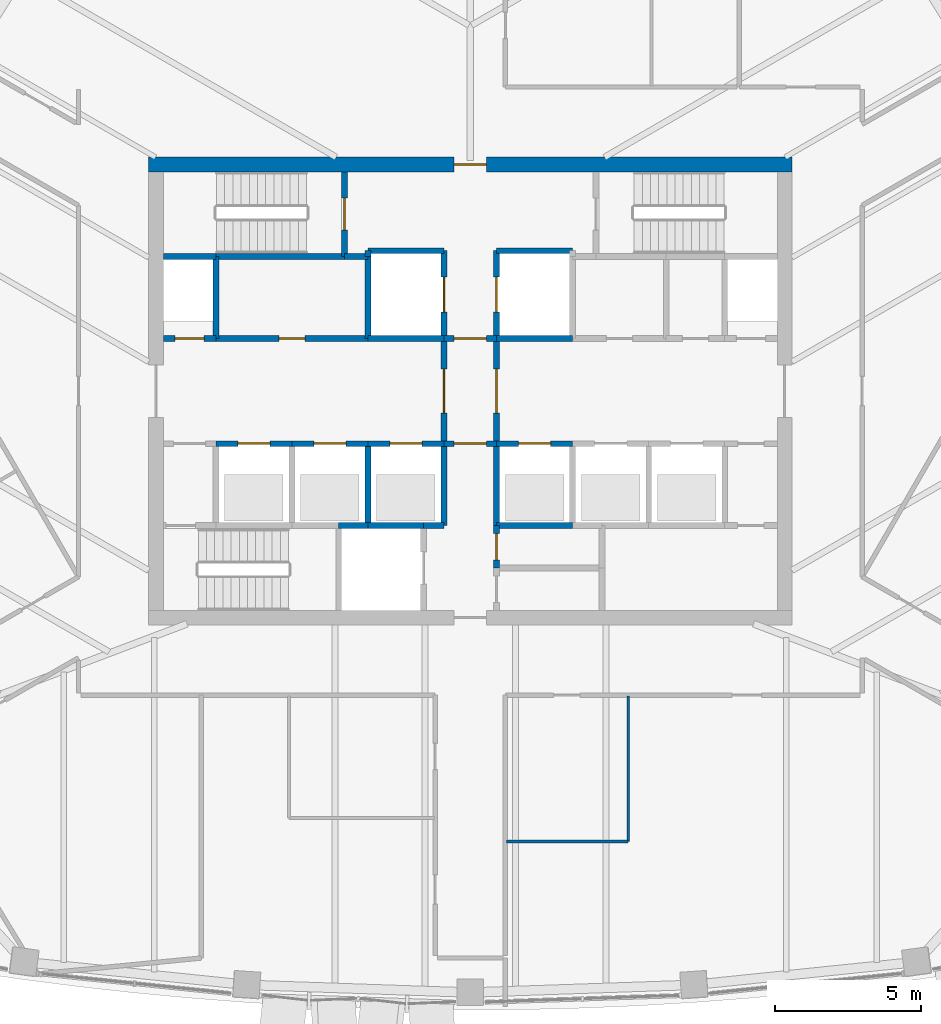
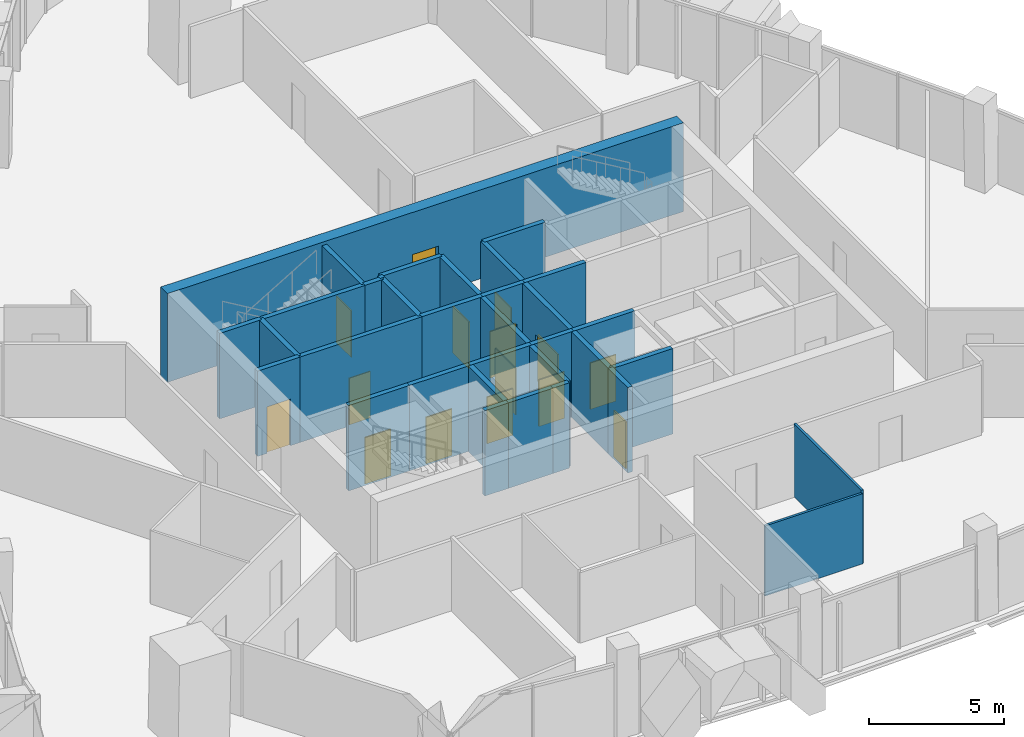
# One storey, part 12 of 18: 34 walls, 15 doors, 15 openings.
"""IFC4 building model written with IfcOpenShell, lengths in metres."""

from ifc_helpers import new_model, si_unit, direction, frame, frame_2d, origin, place, context, subcontext, project, spatial, rectangle, extrude, material, layer, layer_set, type_object, element, fill, save


model = new_model("IFC4")

# Units and contexts
model_context = context("Model", 3, precision=1e-05, world=origin(), true_north=direction((0.0, 1.0)))
body_context = subcontext(model_context, "Body", "Model", "MODEL_VIEW")
ifc_project = project(units=[si_unit("LENGTHUNIT", "METRE"), si_unit("AREAUNIT", "SQUARE_METRE"), si_unit("VOLUMEUNIT", "CUBIC_METRE"), si_unit("PLANEANGLEUNIT", "RADIAN"), si_unit("MASSUNIT", "GRAM", prefix="KILO")], contexts=[model_context])

# Site, building, storey
site_placement = place(None, origin())
site = spatial("IfcSite", under=ifc_project, at=site_placement, CompositionType="ELEMENT")
building_placement = place(site_placement, origin())
building = spatial("IfcBuilding", under=site, at=building_placement, Name="Sierra Prisma Convention Tower", CompositionType="ELEMENT")
storey_placement = place(building_placement, frame((0.0, 0.0, 255.0)))
storey = spatial("IfcBuildingStorey", under=building, at=storey_placement, Name="L57", CompositionType="ELEMENT", Elevation=255.0)

# Walls
ifc_material_1 = material(Name="Gypsum board partition", Category="gypsum")
ifc_layer_1 = layer(ifc_material_1, 0.10009765625)
ifc_layer_set_1 = layer_set([ifc_layer_1], Name="Bathroom partition 100")
wall_type_1 = type_object("IfcWallType", Name="Bathroom partition 100", PredefinedType="PARTITIONING", material=ifc_layer_set_1)
wall_1_placement = place(storey_placement, frame((5.39990234375, -10.429931640625, 0.0), z_axis=(0.0, 0.0, 1.0), x_axis=(0.0, -1.0, 0.0)))
element("IfcWall", 1, at=wall_1_placement, inside=storey, type_object=wall_type_1, Name="Partition L57 bath 5", PredefinedType="PARTITIONING", context=body_context, shape_type="SweptSolid", body=[
    extrude(rectangle(XDim=4.969970703125, YDim=0.10009765625, at=frame_2d((2.48486328125, 0.0))), origin(), (0.0, 0.0, 1.0), 3.300048828125),
])
wall_2_placement = place(storey_placement, frame((5.39990234375, -15.39990234375, 0.0), z_axis=(0.0, 0.0, 1.0), x_axis=(-1.0, 0.0, 0.0)))
element("IfcWall", 2, at=wall_2_placement, inside=storey, type_object=wall_type_1, Name="Partition L57 bath 6", PredefinedType="PARTITIONING", context=body_context, shape_type="SweptSolid", body=[
    extrude(rectangle(XDim=4.169921875, YDim=0.10009765625, at=frame_2d((2.0849609375, 0.0))), origin(), (0.0, 0.0, 1.0), 3.1669921875),
])

# Wall, opening, door
ifc_material_2 = material(Name="Concrete C30/37", Category="concrete")
ifc_layer_2 = layer(ifc_material_2, 0.199951171875)
ifc_layer_set_2 = layer_set([ifc_layer_2], Name="Core wall RC 200 C30/37")
wall_type_2 = type_object("IfcWallType", Name="Core wall RC 200 C30/37", PredefinedType="SOLIDWALL", material=ifc_layer_set_2)
wall_3_placement = place(storey_placement, frame((-8.699951171875, 1.800048828125, 0.0), z_axis=(0.0, 0.0, 1.0), x_axis=(-1.0, 0.0, 0.0)))
wall_3 = element("IfcWall", 3, at=wall_3_placement, inside=storey, type_object=wall_type_2, Name="Core wall L57 3", PredefinedType="SOLIDWALL", context=body_context, shape_type="SweptSolid", body=[
    extrude(rectangle(XDim=1.800048828125, YDim=0.199951171875, at=frame_2d((0.89990234375, 0.0))), origin(), (0.0, 0.0, 1.0), 3.85009765625),
])
opening_1_placement = place(wall_3_placement, frame((0.39990234375, 0.0, 0.0)))
opening_1 = element("IfcOpeningElement", 4, at=opening_1_placement, cuts=wall_3, Name="Opening L57-D015", PredefinedType="OPENING", context=body_context, shape_type="SweptSolid", body=[
    extrude(rectangle(XDim=1.0, YDim=2.10009765625, at=frame_2d((0.5, 1.050048828125))), frame((0.0, 0.10009765625, 0.0), z_axis=(0.0, -1.0, 0.0), x_axis=(1.0, 0.0, 0.0)), (0.0, 0.0, 1.0), 0.199951171875),
])
ifc_material_3 = material(Name="Steel fire door leaf", Category="steel")
door_type_1 = type_object("IfcDoorType", Name="Door 1000x2100 FD60S", OperationType="SINGLE_SWING_LEFT", PredefinedType="DOOR", material=ifc_material_3)
door_1_placement = place(opening_1_placement, origin())
door_1 = element("IfcDoor", 5, at=door_1_placement, inside=storey, type_object=door_type_1, Name="Door L57 30", OperationType="SINGLE_SWING_RIGHT", OverallHeight=2.10009765625, OverallWidth=1.0, PredefinedType="DOOR", context=body_context, shape_type="SweptSolid", body=[
    extrude(rectangle(XDim=1.0, YDim=2.10009765625, at=frame_2d((0.5, 1.050048828125))), frame((0.0, 0.02490234375, 0.0), z_axis=(0.0, -1.0, 0.0), x_axis=(1.0, 0.0, 0.0)), (0.0, 0.0, 1.0), 0.050048828125),
])
fill(opening_1, door_1)

# Wall
wall_4_placement = place(storey_placement, frame((-8.699951171875, 4.60009765625, 0.0), z_axis=(0.0, 0.0, 1.0), x_axis=(-1.0, 0.0, 0.0)))
element("IfcWall", 6, at=wall_4_placement, inside=storey, type_object=wall_type_2, Name="Core wall L57 4", PredefinedType="SOLIDWALL", context=body_context, shape_type="SweptSolid", body=[
    extrude(rectangle(XDim=1.800048828125, YDim=0.199951171875, at=frame_2d((0.89990234375, 0.0))), origin(), (0.0, 0.0, 1.0), 3.85009765625),
])

# Wall, opening, door
wall_5_placement = place(storey_placement, frame((-8.699951171875, -1.800048828125, 0.0), z_axis=(0.0, 0.0, 1.0), x_axis=(1.0, 0.0, 0.0)))
wall_5 = element("IfcWall", 7, at=wall_5_placement, inside=storey, type_object=wall_type_2, Name="Core wall L57 7", PredefinedType="SOLIDWALL", context=body_context, shape_type="SweptSolid", body=[
    extrude(rectangle(XDim=2.599853515625, YDim=0.199951171875, at=frame_2d((1.2998046875, 0.0))), origin(), (0.0, 0.0, 1.0), 3.85009765625),
])
opening_2_placement = place(wall_5_placement, frame((0.75, 0.0, 0.0)))
opening_2 = element("IfcOpeningElement", 8, at=opening_2_placement, cuts=wall_5, Name="Opening L57-D001", PredefinedType="OPENING", context=body_context, shape_type="SweptSolid", body=[
    extrude(rectangle(XDim=1.10009765625, YDim=2.10009765625, at=frame_2d((0.550048828125, 1.050048828125))), frame((0.0, 0.10009765625, 0.0), z_axis=(0.0, -1.0, 0.0), x_axis=(1.0, 0.0, 0.0)), (0.0, 0.0, 1.0), 0.199951171875),
])
ifc_material_4 = material(Name="Steel fire door leaf", Category="steel")
door_type_2 = type_object("IfcDoorType", Name="Door 1100x2100 EI 90 sliding lift landing", OperationType="SLIDING_TO_LEFT", PredefinedType="DOOR", material=ifc_material_4)
door_2_placement = place(opening_2_placement, origin())
door_2 = element("IfcDoor", 9, at=door_2_placement, inside=storey, type_object=door_type_2, Name="Door L57 16", OperationType="SLIDING_TO_RIGHT", OverallHeight=2.10009765625, OverallWidth=1.10009765625, PredefinedType="DOOR", context=body_context, shape_type="SweptSolid", body=[
    extrude(rectangle(XDim=1.10009765625, YDim=2.10009765625, at=frame_2d((0.550048828125, 1.050048828125))), frame((0.0, 0.02490234375, 0.0), z_axis=(0.0, -1.0, 0.0), x_axis=(1.0, 0.0, 0.0)), (0.0, 0.0, 1.0), 0.050048828125),
])
fill(opening_2, door_2)

wall_6_placement = place(storey_placement, frame((-8.699951171875, 1.800048828125, 0.0), z_axis=(0.0, 0.0, 1.0), x_axis=(1.0, 0.0, 0.0)))
wall_6 = element("IfcWall", 10, at=wall_6_placement, inside=storey, type_object=wall_type_2, Name="Core wall L57 8", PredefinedType="SOLIDWALL", context=body_context, shape_type="SweptSolid", body=[
    extrude(rectangle(XDim=5.199951171875, YDim=0.199951171875, at=frame_2d((2.60009765625, 0.0))), origin(), (0.0, 0.0, 1.0), 3.85009765625),
])
opening_3_placement = place(wall_6_placement, frame((2.14990234375, 0.0, 0.0)))
opening_3 = element("IfcOpeningElement", 11, at=opening_3_placement, cuts=wall_6, Name="Opening L57-D022", PredefinedType="OPENING", context=body_context, shape_type="SweptSolid", body=[
    extrude(rectangle(XDim=0.89990234375, YDim=2.10009765625, at=frame_2d((0.449951171875, 1.050048828125))), frame((0.0, 0.10009765625, 0.0), z_axis=(0.0, -1.0, 0.0), x_axis=(1.0, 0.0, 0.0)), (0.0, 0.0, 1.0), 0.199951171875),
])
ifc_material_5 = material(Name="Steel fire door leaf", Category="steel")
door_type_3 = type_object("IfcDoorType", Name="Door 900x2100 FD30S", OperationType="SINGLE_SWING_LEFT", PredefinedType="DOOR", material=ifc_material_5)
door_3_placement = place(opening_3_placement, origin())
door_3 = element("IfcDoor", 12, at=door_3_placement, inside=storey, type_object=door_type_3, Name="Door L57 37", OperationType="SINGLE_SWING_LEFT", OverallHeight=2.10009765625, OverallWidth=0.89990234375, PredefinedType="DOOR", context=body_context, shape_type="SweptSolid", body=[
    extrude(rectangle(XDim=0.89990234375, YDim=2.10009765625, at=frame_2d((0.449951171875, 1.050048828125))), frame((0.0, 0.02490234375, 0.0), z_axis=(0.0, -1.0, 0.0), x_axis=(1.0, 0.0, 0.0)), (0.0, 0.0, 1.0), 0.050048828125),
])
fill(opening_3, door_3)

# Walls
wall_7_placement = place(storey_placement, frame((-8.699951171875, 4.60009765625, 0.0), z_axis=(0.0, 0.0, 1.0), x_axis=(0.0, -1.0, 0.0)))
element("IfcWall", 13, at=wall_7_placement, inside=storey, type_object=wall_type_2, Name="Core wall L57 9", PredefinedType="SOLIDWALL", context=body_context, shape_type="SweptSolid", body=[
    extrude(rectangle(XDim=2.800048828125, YDim=0.199951171875, at=frame_2d((1.39990234375, 0.0))), origin(), (0.0, 0.0, 1.0), 3.85009765625),
])
wall_8_placement = place(storey_placement, frame((-4.300048828125, 4.60009765625, 0.0), z_axis=(0.0, 0.0, 1.0), x_axis=(-1.0, 0.0, 0.0)))
element("IfcWall", 14, at=wall_8_placement, inside=storey, type_object=wall_type_2, Name="Core wall L57 10", PredefinedType="SOLIDWALL", context=body_context, shape_type="SweptSolid", body=[
    extrude(rectangle(XDim=4.39990234375, YDim=0.199951171875, at=frame_2d((2.199951171875, 0.0))), origin(), (0.0, 0.0, 1.0), 3.85009765625),
])

# Wall, opening, door
wall_9_placement = place(storey_placement, frame((-6.10009765625, -1.800048828125, 0.0), z_axis=(0.0, 0.0, 1.0), x_axis=(1.0, 0.0, 0.0)))
wall_9 = element("IfcWall", 15, at=wall_9_placement, inside=storey, type_object=wall_type_2, Name="Core wall L57 13", PredefinedType="SOLIDWALL", context=body_context, shape_type="SweptSolid", body=[
    extrude(rectangle(XDim=2.60009765625, YDim=0.199951171875, at=frame_2d((1.300048828125, 0.0))), origin(), (0.0, 0.0, 1.0), 3.85009765625),
])
opening_4_placement = place(wall_9_placement, frame((0.75, 0.0, 0.0)))
opening_4 = element("IfcOpeningElement", 16, at=opening_4_placement, cuts=wall_9, Name="Opening L57-D002", PredefinedType="OPENING", context=body_context, shape_type="SweptSolid", body=[
    extrude(rectangle(XDim=1.10009765625, YDim=2.10009765625, at=frame_2d((0.550048828125, 1.050048828125))), frame((0.0, 0.10009765625, 0.0), z_axis=(0.0, -1.0, 0.0), x_axis=(1.0, 0.0, 0.0)), (0.0, 0.0, 1.0), 0.199951171875),
])
door_4_placement = place(opening_4_placement, origin())
door_4 = element("IfcDoor", 17, at=door_4_placement, inside=storey, type_object=door_type_2, Name="Door L57 17", OperationType="SLIDING_TO_LEFT", OverallHeight=2.10009765625, OverallWidth=1.10009765625, PredefinedType="DOOR", context=body_context, shape_type="SweptSolid", body=[
    extrude(rectangle(XDim=1.10009765625, YDim=2.10009765625, at=frame_2d((0.550048828125, 1.050048828125))), frame((0.0, 0.02490234375, 0.0), z_axis=(0.0, -1.0, 0.0), x_axis=(1.0, 0.0, 0.0)), (0.0, 0.0, 1.0), 0.050048828125),
])
fill(opening_4, door_4)

# Walls
wall_10_placement = place(storey_placement, frame((-4.5, -4.60009765625, 0.0), z_axis=(0.0, 0.0, 1.0), x_axis=(1.0, 0.0, 0.0)))
element("IfcWall", 18, at=wall_10_placement, inside=storey, type_object=wall_type_2, Name="Core wall L57 15", PredefinedType="SOLIDWALL", context=body_context, shape_type="SweptSolid", body=[
    extrude(rectangle(XDim=1.0, YDim=0.199951171875, at=frame_2d((0.5, 0.0))), origin(), (0.0, 0.0, 1.0), 3.85009765625),
])
wall_11_placement = place(storey_placement, frame((-3.5, 4.60009765625, 0.0), z_axis=(0.0, 0.0, 1.0), x_axis=(-1.0, 0.0, 0.0)))
element("IfcWall", 19, at=wall_11_placement, inside=storey, type_object=wall_type_2, Name="Core wall L57 16", PredefinedType="SOLIDWALL", context=body_context, shape_type="SweptSolid", body=[
    extrude(rectangle(XDim=0.800048828125, YDim=0.199951171875, at=frame_2d((0.39990234375, 0.0))), origin(), (0.0, 0.0, 1.0), 3.85009765625),
])

# Wall, opening, door
wall_12_placement = place(storey_placement, frame((-4.300048828125, 4.60009765625, 0.0), z_axis=(0.0, 0.0, 1.0), x_axis=(0.0, 1.0, 0.0)))
wall_12 = element("IfcWall", 20, at=wall_12_placement, inside=storey, type_object=wall_type_2, Name="Core wall L57 17", PredefinedType="SOLIDWALL", context=body_context, shape_type="SweptSolid", body=[
    extrude(rectangle(XDim=2.89990234375, YDim=0.199951171875, at=frame_2d((1.449951171875, 0.0))), origin(), (0.0, 0.0, 1.0), 3.85009765625),
])
opening_5_placement = place(wall_12_placement, frame((0.89990234375, 0.0, 0.0)))
opening_5 = element("IfcOpeningElement", 21, at=opening_5_placement, cuts=wall_12, Name="Opening L57-D018", PredefinedType="OPENING", context=body_context, shape_type="SweptSolid", body=[
    extrude(rectangle(XDim=1.10009765625, YDim=2.10009765625, at=frame_2d((0.550048828125, 1.050048828125))), frame((0.0, 0.10009765625, 0.0), z_axis=(0.0, -1.0, 0.0), x_axis=(1.0, 0.0, 0.0)), (0.0, 0.0, 1.0), 0.199951171875),
])
ifc_material_6 = material(Name="Steel fire door leaf", Category="steel")
door_type_4 = type_object("IfcDoorType", Name="Door 1100x2100 FD90S", OperationType="SINGLE_SWING_LEFT", PredefinedType="DOOR", material=ifc_material_6)
door_5_placement = place(opening_5_placement, origin())
door_5 = element("IfcDoor", 22, at=door_5_placement, inside=storey, type_object=door_type_4, Name="Door L57 33", OperationType="SINGLE_SWING_RIGHT", OverallHeight=2.10009765625, OverallWidth=1.10009765625, PredefinedType="DOOR", context=body_context, shape_type="SweptSolid", body=[
    extrude(rectangle(XDim=1.10009765625, YDim=2.10009765625, at=frame_2d((0.550048828125, 1.050048828125))), frame((0.0, 0.02490234375, 0.0), z_axis=(0.0, -1.0, 0.0), x_axis=(1.0, 0.0, 0.0)), (0.0, 0.0, 1.0), 0.050048828125),
])
fill(opening_5, door_5)

# Walls
wall_13_placement = place(storey_placement, frame((-3.5, -4.60009765625, 0.0), z_axis=(0.0, 0.0, 1.0), x_axis=(1.0, 0.0, 0.0)))
element("IfcWall", 23, at=wall_13_placement, inside=storey, type_object=wall_type_2, Name="Core wall L57 18", PredefinedType="SOLIDWALL", context=body_context, shape_type="SweptSolid", body=[
    extrude(rectangle(XDim=1.89990234375, YDim=0.199951171875, at=frame_2d((0.949951171875, 0.0))), origin(), (0.0, 0.0, 1.0), 3.85009765625),
])
wall_14_placement = place(storey_placement, frame((-3.5, -4.60009765625, 0.0), z_axis=(0.0, 0.0, 1.0), x_axis=(0.0, 1.0, 0.0)))
element("IfcWall", 24, at=wall_14_placement, inside=storey, type_object=wall_type_2, Name="Core wall L57 19", PredefinedType="SOLIDWALL", context=body_context, shape_type="SweptSolid", body=[
    extrude(rectangle(XDim=2.800048828125, YDim=0.199951171875, at=frame_2d((1.39990234375, 0.0))), origin(), (0.0, 0.0, 1.0), 3.85009765625),
])

# Wall, opening, door
wall_15_placement = place(storey_placement, frame((-3.5, -1.800048828125, 0.0), z_axis=(0.0, 0.0, 1.0), x_axis=(1.0, 0.0, 0.0)))
wall_15 = element("IfcWall", 25, at=wall_15_placement, inside=storey, type_object=wall_type_2, Name="Core wall L57 20", PredefinedType="SOLIDWALL", context=body_context, shape_type="SweptSolid", body=[
    extrude(rectangle(XDim=2.60009765625, YDim=0.199951171875, at=frame_2d((1.300048828125, 0.0))), origin(), (0.0, 0.0, 1.0), 3.85009765625),
])
opening_6_placement = place(wall_15_placement, frame((0.75, 0.0, 0.0)))
opening_6 = element("IfcOpeningElement", 26, at=opening_6_placement, cuts=wall_15, Name="Opening L57-D003", PredefinedType="OPENING", context=body_context, shape_type="SweptSolid", body=[
    extrude(rectangle(XDim=1.10009765625, YDim=2.10009765625, at=frame_2d((0.550048828125, 1.050048828125))), frame((0.0, 0.10009765625, 0.0), z_axis=(0.0, -1.0, 0.0), x_axis=(1.0, 0.0, 0.0)), (0.0, 0.0, 1.0), 0.199951171875),
])
door_6_placement = place(opening_6_placement, origin())
door_6 = element("IfcDoor", 27, at=door_6_placement, inside=storey, type_object=door_type_2, Name="Door L57 18", OperationType="SLIDING_TO_RIGHT", OverallHeight=2.10009765625, OverallWidth=1.10009765625, PredefinedType="DOOR", context=body_context, shape_type="SweptSolid", body=[
    extrude(rectangle(XDim=1.10009765625, YDim=2.10009765625, at=frame_2d((0.550048828125, 1.050048828125))), frame((0.0, 0.02490234375, 0.0), z_axis=(0.0, -1.0, 0.0), x_axis=(1.0, 0.0, 0.0)), (0.0, 0.0, 1.0), 0.050048828125),
])
fill(opening_6, door_6)

# Walls
wall_16_placement = place(storey_placement, frame((-0.89990234375, 1.800048828125, 0.0), z_axis=(0.0, 0.0, 1.0), x_axis=(-1.0, 0.0, 0.0)))
element("IfcWall", 28, at=wall_16_placement, inside=storey, type_object=wall_type_2, Name="Core wall L57 21", PredefinedType="SOLIDWALL", context=body_context, shape_type="SweptSolid", body=[
    extrude(rectangle(XDim=2.60009765625, YDim=0.199951171875, at=frame_2d((1.300048828125, 0.0))), origin(), (0.0, 0.0, 1.0), 3.85009765625),
])
wall_17_placement = place(storey_placement, frame((-3.5, 1.800048828125, 0.0), z_axis=(0.0, 0.0, 1.0), x_axis=(0.0, 1.0, 0.0)))
element("IfcWall", 29, at=wall_17_placement, inside=storey, type_object=wall_type_2, Name="Core wall L57 22", PredefinedType="SOLIDWALL", context=body_context, shape_type="SweptSolid", body=[
    extrude(rectangle(XDim=2.800048828125, YDim=0.199951171875, at=frame_2d((1.39990234375, 0.0))), origin(), (0.0, 0.0, 1.0), 3.85009765625),
])

# Wall, opening, door
wall_18_placement = place(storey_placement, frame((-0.89990234375, 1.800048828125, 0.0), z_axis=(0.0, 0.0, 1.0), x_axis=(0.0, 1.0, 0.0)))
wall_18 = element("IfcWall", 30, at=wall_18_placement, inside=storey, type_object=wall_type_2, Name="Core wall L57 23", PredefinedType="SOLIDWALL", context=body_context, shape_type="SweptSolid", body=[
    extrude(rectangle(XDim=3.0, YDim=0.199951171875, at=frame_2d((1.5, 0.0))), origin(), (0.0, 0.0, 1.0), 3.85009765625),
])
opening_7_placement = place(wall_18_placement, frame((0.89990234375, 0.0, 0.0)))
opening_7 = element("IfcOpeningElement", 31, at=opening_7_placement, cuts=wall_18, Name="Opening L57-D007", PredefinedType="OPENING", context=body_context, shape_type="SweptSolid", body=[
    extrude(rectangle(XDim=1.199951171875, YDim=2.10009765625, at=frame_2d((0.60009765625, 1.050048828125))), frame((0.0, 0.10009765625, 0.0), z_axis=(0.0, -1.0, 0.0), x_axis=(1.0, 0.0, 0.0)), (0.0, 0.0, 1.0), 0.199951171875),
])
ifc_material_7 = material(Name="Steel fire door leaf", Category="steel")
door_type_5 = type_object("IfcDoorType", Name="Door 1200x2100 EI 90 sliding lift landing", OperationType="SLIDING_TO_LEFT", PredefinedType="DOOR", material=ifc_material_7)
door_7_placement = place(opening_7_placement, origin())
door_7 = element("IfcDoor", 32, at=door_7_placement, inside=storey, type_object=door_type_5, Name="Door L57 22", OperationType="SLIDING_TO_LEFT", OverallHeight=2.10009765625, OverallWidth=1.199951171875, PredefinedType="DOOR", context=body_context, shape_type="SweptSolid", body=[
    extrude(rectangle(XDim=1.199951171875, YDim=2.10009765625, at=frame_2d((0.60009765625, 1.050048828125))), frame((0.0, 0.02490234375, 0.0), z_axis=(0.0, -1.0, 0.0), x_axis=(1.0, 0.0, 0.0)), (0.0, 0.0, 1.0), 0.050048828125),
])
fill(opening_7, door_7)

# Walls
wall_19_placement = place(storey_placement, frame((-0.89990234375, 4.800048828125, 0.0), z_axis=(0.0, 0.0, 1.0), x_axis=(-1.0, 0.0, 0.0)))
element("IfcWall", 33, at=wall_19_placement, inside=storey, type_object=wall_type_2, Name="Core wall L57 24", PredefinedType="SOLIDWALL", context=body_context, shape_type="SweptSolid", body=[
    extrude(rectangle(XDim=2.60009765625, YDim=0.199951171875, at=frame_2d((1.300048828125, 0.0))), origin(), (0.0, 0.0, 1.0), 3.85009765625),
])
wall_20_placement = place(storey_placement, frame((-3.5, 4.800048828125, 0.0), z_axis=(0.0, 0.0, 1.0), x_axis=(0.0, -1.0, 0.0)))
element("IfcWall", 34, at=wall_20_placement, inside=storey, type_object=wall_type_2, Name="Core wall L57 25", PredefinedType="SOLIDWALL", context=body_context, shape_type="SweptSolid", body=[
    extrude(rectangle(XDim=0.199951171875, YDim=0.199951171875, at=frame_2d((0.10009765625, 0.0))), origin(), (0.0, 0.0, 1.0), 3.85009765625),
])
wall_21_placement = place(storey_placement, frame((-1.60009765625, -4.60009765625, 0.0), z_axis=(0.0, 0.0, 1.0), x_axis=(1.0, 0.0, 0.0)))
element("IfcWall", 35, at=wall_21_placement, inside=storey, type_object=wall_type_2, Name="Core wall L57 27", PredefinedType="SOLIDWALL", context=body_context, shape_type="SweptSolid", body=[
    extrude(rectangle(XDim=0.7001953125, YDim=0.199951171875, at=frame_2d((0.35009765625, 0.0))), origin(), (0.0, 0.0, 1.0), 3.85009765625),
])
wall_22_placement = place(storey_placement, frame((-0.89990234375, -4.60009765625, 0.0), z_axis=(0.0, 0.0, 1.0), x_axis=(0.0, 1.0, 0.0)))
element("IfcWall", 36, at=wall_22_placement, inside=storey, type_object=wall_type_2, Name="Core wall L57 28", PredefinedType="SOLIDWALL", context=body_context, shape_type="SweptSolid", body=[
    extrude(rectangle(XDim=2.800048828125, YDim=0.199951171875, at=frame_2d((1.39990234375, 0.0))), origin(), (0.0, 0.0, 1.0), 3.85009765625),
])

# Wall, opening, door
wall_23_placement = place(storey_placement, frame((-0.89990234375, -1.800048828125, 0.0), z_axis=(0.0, 0.0, 1.0), x_axis=(1.0, 0.0, 0.0)))
wall_23 = element("IfcWall", 37, at=wall_23_placement, inside=storey, type_object=wall_type_2, Name="Core wall L57 29", PredefinedType="SOLIDWALL", context=body_context, shape_type="SweptSolid", body=[
    extrude(rectangle(XDim=1.7998046875, YDim=0.199951171875, at=frame_2d((0.89990234375, 0.0))), origin(), (0.0, 0.0, 1.0), 3.85009765625),
])
opening_8_placement = place(wall_23_placement, frame((0.35009765625, 0.0, 0.0)))
opening_8 = element("IfcOpeningElement", 38, at=opening_8_placement, cuts=wall_23, Name="Opening L57-D014", PredefinedType="OPENING", context=body_context, shape_type="SweptSolid", body=[
    extrude(rectangle(XDim=1.10009765625, YDim=2.10009765625, at=frame_2d((0.550048828125, 1.050048828125))), frame((0.0, 0.10009765625, 0.0), z_axis=(0.0, -1.0, 0.0), x_axis=(1.0, 0.0, 0.0)), (0.0, 0.0, 1.0), 0.199951171875),
])
ifc_material_8 = material(Name="Steel fire door leaf", Category="steel")
door_type_6 = type_object("IfcDoorType", Name="Door 1100x2100 FD30S", OperationType="SINGLE_SWING_LEFT", PredefinedType="DOOR", material=ifc_material_8)
door_8_placement = place(opening_8_placement, origin())
door_8 = element("IfcDoor", 39, at=door_8_placement, inside=storey, type_object=door_type_6, Name="Door L57 29", OperationType="SINGLE_SWING_LEFT", OverallHeight=2.10009765625, OverallWidth=1.10009765625, PredefinedType="DOOR", context=body_context, shape_type="SweptSolid", body=[
    extrude(rectangle(XDim=1.10009765625, YDim=2.10009765625, at=frame_2d((0.550048828125, 1.050048828125))), frame((0.0, 0.02490234375, 0.0), z_axis=(0.0, -1.0, 0.0), x_axis=(1.0, 0.0, 0.0)), (0.0, 0.0, 1.0), 0.050048828125),
])
fill(opening_8, door_8)

wall_24_placement = place(storey_placement, frame((-0.89990234375, 1.800048828125, 0.0), z_axis=(0.0, 0.0, 1.0), x_axis=(0.0, -1.0, 0.0)))
wall_24 = element("IfcWall", 40, at=wall_24_placement, inside=storey, type_object=wall_type_2, Name="Core wall L57 30", PredefinedType="SOLIDWALL", context=body_context, shape_type="SweptSolid", body=[
    extrude(rectangle(XDim=3.60009765625, YDim=0.199951171875, at=frame_2d((1.800048828125, 0.0))), origin(), (0.0, 0.0, 1.0), 3.85009765625),
])
opening_9_placement = place(wall_24_placement, frame((1.050048828125, 0.0, 0.0)))
opening_9 = element("IfcOpeningElement", 41, at=opening_9_placement, cuts=wall_24, Name="Opening L57-D010", PredefinedType="OPENING", context=body_context, shape_type="SweptSolid", body=[
    extrude(rectangle(XDim=1.5, YDim=2.10009765625, at=frame_2d((0.75, 1.050048828125))), frame((0.0, 0.10009765625, 0.0), z_axis=(0.0, -1.0, 0.0), x_axis=(1.0, 0.0, 0.0)), (0.0, 0.0, 1.0), 0.199951171875),
])
ifc_material_9 = material(Name="Steel fire door leaf", Category="steel")
door_type_7 = type_object("IfcDoorType", Name="Door 1500x2100 FD30S", OperationType="DOUBLE_DOOR_SINGLE_SWING", PredefinedType="DOOR", material=ifc_material_9)
door_9_placement = place(opening_9_placement, origin())
door_9 = element("IfcDoor", 42, at=door_9_placement, inside=storey, type_object=door_type_7, Name="Door L57 25", OperationType="DOUBLE_DOOR_SINGLE_SWING", OverallHeight=2.10009765625, OverallWidth=1.5, PredefinedType="DOOR", context=body_context, shape_type="SweptSolid", body=[
    extrude(rectangle(XDim=1.5, YDim=2.10009765625, at=frame_2d((0.75, 1.050048828125))), frame((0.0, 0.02490234375, 0.0), z_axis=(0.0, -1.0, 0.0), x_axis=(1.0, 0.0, 0.0)), (0.0, 0.0, 1.0), 0.050048828125),
])
fill(opening_9, door_9)

wall_25_placement = place(storey_placement, frame((0.89990234375, 1.800048828125, 0.0), z_axis=(0.0, 0.0, 1.0), x_axis=(-1.0, 0.0, 0.0)))
wall_25 = element("IfcWall", 43, at=wall_25_placement, inside=storey, type_object=wall_type_2, Name="Core wall L57 31", PredefinedType="SOLIDWALL", context=body_context, shape_type="SweptSolid", body=[
    extrude(rectangle(XDim=1.7998046875, YDim=0.199951171875, at=frame_2d((0.89990234375, 0.0))), origin(), (0.0, 0.0, 1.0), 3.85009765625),
])
opening_10_placement = place(wall_25_placement, frame((0.35009765625, 0.0, 0.0)))
opening_10 = element("IfcOpeningElement", 44, at=opening_10_placement, cuts=wall_25, Name="Opening L57-D013", PredefinedType="OPENING", context=body_context, shape_type="SweptSolid", body=[
    extrude(rectangle(XDim=1.10009765625, YDim=2.10009765625, at=frame_2d((0.550048828125, 1.050048828125))), frame((0.0, 0.10009765625, 0.0), z_axis=(0.0, -1.0, 0.0), x_axis=(1.0, 0.0, 0.0)), (0.0, 0.0, 1.0), 0.199951171875),
])
ifc_material_10 = material(Name="Steel fire door leaf", Category="steel")
door_type_8 = type_object("IfcDoorType", Name="Door 1100x2100 FD60S", OperationType="SINGLE_SWING_LEFT", PredefinedType="DOOR", material=ifc_material_10)
door_10_placement = place(opening_10_placement, origin())
door_10 = element("IfcDoor", 45, at=door_10_placement, inside=storey, type_object=door_type_8, Name="Door L57 28", OperationType="SINGLE_SWING_LEFT", OverallHeight=2.10009765625, OverallWidth=1.10009765625, PredefinedType="DOOR", context=body_context, shape_type="SweptSolid", body=[
    extrude(rectangle(XDim=1.10009765625, YDim=2.10009765625, at=frame_2d((0.550048828125, 1.050048828125))), frame((0.0, 0.02490234375, 0.0), z_axis=(0.0, -1.0, 0.0), x_axis=(1.0, 0.0, 0.0)), (0.0, 0.0, 1.0), 0.050048828125),
])
fill(opening_10, door_10)

wall_26_placement = place(storey_placement, frame((0.89990234375, -4.60009765625, 0.0), z_axis=(0.0, 0.0, 1.0), x_axis=(0.0, -1.0, 0.0)))
wall_26 = element("IfcWall", 46, at=wall_26_placement, inside=storey, type_object=wall_type_2, Name="Core wall L57 34", PredefinedType="SOLIDWALL", context=body_context, shape_type="SweptSolid", body=[
    extrude(rectangle(XDim=1.449951171875, YDim=0.199951171875, at=frame_2d((0.72509765625, 0.0))), origin(), (0.0, 0.0, 1.0), 3.85009765625),
])
opening_11_placement = place(wall_26_placement, frame((0.27490234375, 0.0, 0.0)))
opening_11 = element("IfcOpeningElement", 47, at=opening_11_placement, cuts=wall_26, Name="Opening L57-D026", PredefinedType="OPENING", context=body_context, shape_type="SweptSolid", body=[
    extrude(rectangle(XDim=0.89990234375, YDim=2.10009765625, at=frame_2d((0.449951171875, 1.050048828125))), frame((0.0, 0.10009765625, 0.0), z_axis=(0.0, -1.0, 0.0), x_axis=(1.0, 0.0, 0.0)), (0.0, 0.0, 1.0), 0.199951171875),
])
door_11_placement = place(opening_11_placement, origin())
door_11 = element("IfcDoor", 48, at=door_11_placement, inside=storey, type_object=door_type_3, Name="Door L57 41", OperationType="SINGLE_SWING_RIGHT", OverallHeight=2.10009765625, OverallWidth=0.89990234375, PredefinedType="DOOR", context=body_context, shape_type="SweptSolid", body=[
    extrude(rectangle(XDim=0.89990234375, YDim=2.10009765625, at=frame_2d((0.449951171875, 1.050048828125))), frame((0.0, 0.02490234375, 0.0), z_axis=(0.0, -1.0, 0.0), x_axis=(1.0, 0.0, 0.0)), (0.0, 0.0, 1.0), 0.050048828125),
])
fill(opening_11, door_11)

# Walls
wall_27_placement = place(storey_placement, frame((3.5, -4.60009765625, 0.0), z_axis=(0.0, 0.0, 1.0), x_axis=(-1.0, 0.0, 0.0)))
element("IfcWall", 49, at=wall_27_placement, inside=storey, type_object=wall_type_2, Name="Core wall L57 35", PredefinedType="SOLIDWALL", context=body_context, shape_type="SweptSolid", body=[
    extrude(rectangle(XDim=2.60009765625, YDim=0.199951171875, at=frame_2d((1.300048828125, 0.0))), origin(), (0.0, 0.0, 1.0), 3.85009765625),
])
wall_28_placement = place(storey_placement, frame((0.89990234375, -1.800048828125, 0.0), z_axis=(0.0, 0.0, 1.0), x_axis=(0.0, -1.0, 0.0)))
element("IfcWall", 50, at=wall_28_placement, inside=storey, type_object=wall_type_2, Name="Core wall L57 36", PredefinedType="SOLIDWALL", context=body_context, shape_type="SweptSolid", body=[
    extrude(rectangle(XDim=2.800048828125, YDim=0.199951171875, at=frame_2d((1.39990234375, 0.0))), origin(), (0.0, 0.0, 1.0), 3.85009765625),
])

# Wall, opening, door
wall_29_placement = place(storey_placement, frame((0.89990234375, -1.800048828125, 0.0), z_axis=(0.0, 0.0, 1.0), x_axis=(1.0, 0.0, 0.0)))
wall_29 = element("IfcWall", 51, at=wall_29_placement, inside=storey, type_object=wall_type_2, Name="Core wall L57 37", PredefinedType="SOLIDWALL", context=body_context, shape_type="SweptSolid", body=[
    extrude(rectangle(XDim=2.60009765625, YDim=0.199951171875, at=frame_2d((1.300048828125, 0.0))), origin(), (0.0, 0.0, 1.0), 3.85009765625),
])
opening_12_placement = place(wall_29_placement, frame((0.75, 0.0, 0.0)))
opening_12 = element("IfcOpeningElement", 52, at=opening_12_placement, cuts=wall_29, Name="Opening L57-D004", PredefinedType="OPENING", context=body_context, shape_type="SweptSolid", body=[
    extrude(rectangle(XDim=1.10009765625, YDim=2.10009765625, at=frame_2d((0.550048828125, 1.050048828125))), frame((0.0, 0.10009765625, 0.0), z_axis=(0.0, -1.0, 0.0), x_axis=(1.0, 0.0, 0.0)), (0.0, 0.0, 1.0), 0.199951171875),
])
door_12_placement = place(opening_12_placement, origin())
door_12 = element("IfcDoor", 53, at=door_12_placement, inside=storey, type_object=door_type_2, Name="Door L57 19", OperationType="SLIDING_TO_RIGHT", OverallHeight=2.10009765625, OverallWidth=1.10009765625, PredefinedType="DOOR", context=body_context, shape_type="SweptSolid", body=[
    extrude(rectangle(XDim=1.10009765625, YDim=2.10009765625, at=frame_2d((0.550048828125, 1.050048828125))), frame((0.0, 0.02490234375, 0.0), z_axis=(0.0, -1.0, 0.0), x_axis=(1.0, 0.0, 0.0)), (0.0, 0.0, 1.0), 0.050048828125),
])
fill(opening_12, door_12)

wall_30_placement = place(storey_placement, frame((0.89990234375, -1.800048828125, 0.0), z_axis=(0.0, 0.0, 1.0), x_axis=(0.0, 1.0, 0.0)))
wall_30 = element("IfcWall", 54, at=wall_30_placement, inside=storey, type_object=wall_type_2, Name="Core wall L57 38", PredefinedType="SOLIDWALL", context=body_context, shape_type="SweptSolid", body=[
    extrude(rectangle(XDim=3.60009765625, YDim=0.199951171875, at=frame_2d((1.800048828125, 0.0))), origin(), (0.0, 0.0, 1.0), 3.85009765625),
])
opening_13_placement = place(wall_30_placement, frame((1.050048828125, 0.0, 0.0)))
opening_13 = element("IfcOpeningElement", 55, at=opening_13_placement, cuts=wall_30, Name="Opening L57-D011", PredefinedType="OPENING", context=body_context, shape_type="SweptSolid", body=[
    extrude(rectangle(XDim=1.5, YDim=2.10009765625, at=frame_2d((0.75, 1.050048828125))), frame((0.0, 0.10009765625, 0.0), z_axis=(0.0, -1.0, 0.0), x_axis=(1.0, 0.0, 0.0)), (0.0, 0.0, 1.0), 0.199951171875),
])
door_13_placement = place(opening_13_placement, origin())
door_13 = element("IfcDoor", 56, at=door_13_placement, inside=storey, type_object=door_type_7, Name="Door L57 26", OperationType="DOUBLE_DOOR_SINGLE_SWING", OverallHeight=2.10009765625, OverallWidth=1.5, PredefinedType="DOOR", context=body_context, shape_type="SweptSolid", body=[
    extrude(rectangle(XDim=1.5, YDim=2.10009765625, at=frame_2d((0.75, 1.050048828125))), frame((0.0, 0.02490234375, 0.0), z_axis=(0.0, -1.0, 0.0), x_axis=(1.0, 0.0, 0.0)), (0.0, 0.0, 1.0), 0.050048828125),
])
fill(opening_13, door_13)

# Walls
for number, where, z_axis, x_axis, name in (
    (57, (3.5, 1.800048828125, 0.0), (0.0, 0.0, 1.0), (-1.0, 0.0, 0.0), "Core wall L57 39"),
    (58, (3.5, 4.800048828125, 0.0), (0.0, 0.0, 1.0), (-1.0, 0.0, 0.0), "Core wall L57 41"),
):
    element("IfcWall", number, at=place(storey_placement, frame(where, z_axis=z_axis, x_axis=x_axis)), inside=storey, type_object=wall_type_2, Name=name, PredefinedType="SOLIDWALL", context=body_context, shape_type="SweptSolid", body=[
        extrude(rectangle(XDim=2.60009765625, YDim=0.199951171875, at=frame_2d((1.300048828125, 0.0))), origin(), (0.0, 0.0, 1.0), 3.85009765625),
    ])

# Wall, opening, door
wall_31_placement = place(storey_placement, frame((0.89990234375, 4.800048828125, 0.0), z_axis=(0.0, 0.0, 1.0), x_axis=(0.0, -1.0, 0.0)))
wall_31 = element("IfcWall", 59, at=wall_31_placement, inside=storey, type_object=wall_type_2, Name="Core wall L57 42", PredefinedType="SOLIDWALL", context=body_context, shape_type="SweptSolid", body=[
    extrude(rectangle(XDim=3.0, YDim=0.199951171875, at=frame_2d((1.5, 0.0))), origin(), (0.0, 0.0, 1.0), 3.85009765625),
])
opening_14_placement = place(wall_31_placement, frame((0.89990234375, 0.0, 0.0)))
opening_14 = element("IfcOpeningElement", 60, at=opening_14_placement, cuts=wall_31, Name="Opening L57-D008", PredefinedType="OPENING", context=body_context, shape_type="SweptSolid", body=[
    extrude(rectangle(XDim=1.199951171875, YDim=2.10009765625, at=frame_2d((0.60009765625, 1.050048828125))), frame((0.0, 0.10009765625, 0.0), z_axis=(0.0, -1.0, 0.0), x_axis=(1.0, 0.0, 0.0)), (0.0, 0.0, 1.0), 0.199951171875),
])
door_14_placement = place(opening_14_placement, origin())
door_14 = element("IfcDoor", 61, at=door_14_placement, inside=storey, type_object=door_type_5, Name="Door L57 23", OperationType="SLIDING_TO_LEFT", OverallHeight=2.10009765625, OverallWidth=1.199951171875, PredefinedType="DOOR", context=body_context, shape_type="SweptSolid", body=[
    extrude(rectangle(XDim=1.199951171875, YDim=2.10009765625, at=frame_2d((0.60009765625, 1.050048828125))), frame((0.0, 0.02490234375, 0.0), z_axis=(0.0, -1.0, 0.0), x_axis=(1.0, 0.0, 0.0)), (0.0, 0.0, 1.0), 0.050048828125),
])
fill(opening_14, door_14)

ifc_material_11 = material(Name="Concrete C50/60", Category="concrete")
ifc_layer_3 = layer(ifc_material_11, 0.5)
ifc_layer_set_3 = layer_set([ifc_layer_3], Name="Core wall RC 500 C50/60")
wall_type_3 = type_object("IfcWallType", Name="Core wall RC 500 C50/60", PredefinedType="SHEAR", material=ifc_layer_set_3)
wall_32_placement = place(storey_placement, frame((-11.0, 7.75, 0.0), z_axis=(0.0, 0.0, 1.0), x_axis=(1.0, 0.0, 0.0)))
wall_32 = element("IfcWall", 62, at=wall_32_placement, inside=storey, type_object=wall_type_3, Name="Core wall N L57", PredefinedType="SHEAR", context=body_context, shape_type="SweptSolid", body=[
    extrude(rectangle(XDim=22.0, YDim=0.5, at=frame_2d((11.0, 0.0))), origin(), (0.0, 0.0, 1.0), 4.0),
])
opening_15_placement = place(wall_32_placement, frame((10.449951171875, 0.0, 0.0)))
opening_15 = element("IfcOpeningElement", 63, at=opening_15_placement, cuts=wall_32, Name="Opening L57-D043", PredefinedType="OPENING", context=body_context, shape_type="SweptSolid", body=[
    extrude(rectangle(XDim=1.10009765625, YDim=2.10009765625, at=frame_2d((0.550048828125, 1.050048828125))), frame((0.0, 0.25, 0.0), z_axis=(0.0, -1.0, 0.0), x_axis=(1.0, 0.0, 0.0)), (0.0, 0.0, 1.0), 0.5),
])
door_15_placement = place(opening_15_placement, origin())
door_15 = element("IfcDoor", 64, at=door_15_placement, inside=storey, type_object=door_type_8, Name="Door L57 44", OperationType="SINGLE_SWING_LEFT", OverallHeight=2.10009765625, OverallWidth=1.10009765625, PredefinedType="DOOR", context=body_context, shape_type="SweptSolid", body=[
    extrude(rectangle(XDim=1.10009765625, YDim=2.10009765625, at=frame_2d((0.550048828125, 1.050048828125))), frame((0.0, 0.02490234375, 0.0), z_axis=(0.0, -1.0, 0.0), x_axis=(1.0, 0.0, 0.0)), (0.0, 0.0, 1.0), 0.050048828125),
])
fill(opening_15, door_15)

save(model, "model.ifc")
